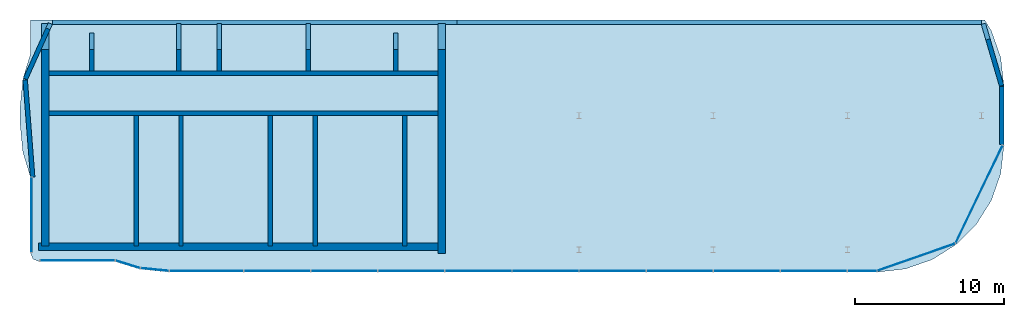
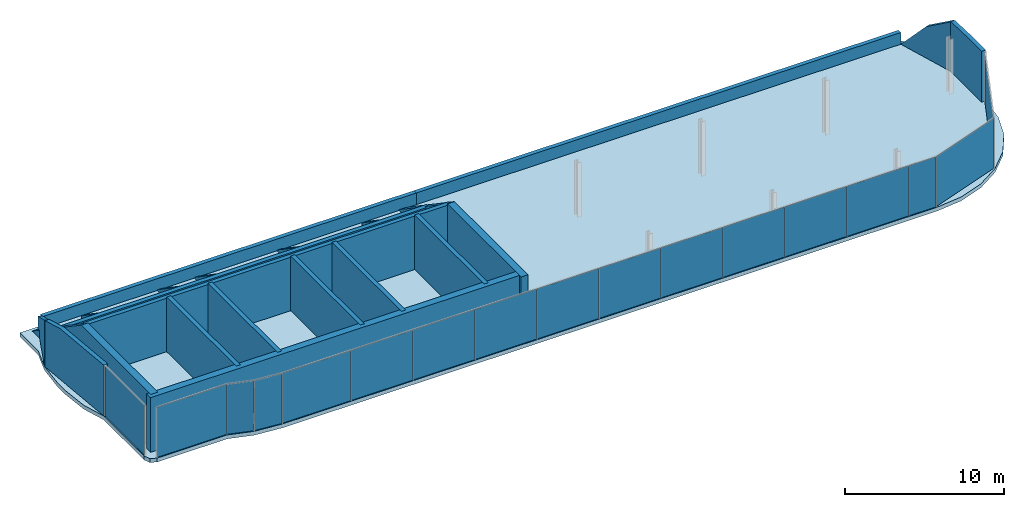
# One storey, part 5 of 5: 21 walls, 17 plates, 1 slab, 7 elements without a shape of their own.
"""IFC4 building model written with IfcOpenShell, lengths in metres."""

import ifcopenshell
import ifcopenshell.guid

model = None  # the IFC model being written
_history = None  # IfcOwnerHistory: only IFC2X3 demands one
_inside = {}  # id of a spatial element -> (the spatial element, [elements in it])
_under = {}  # id of a project, library or spatial element -> (it, [spatial elements below it])
_declared = {}  # id of a project -> (the project, [libraries it declares])
_typed = {}  # id of a type object -> (the type object, [elements of that type])
_made_of = {}  # id of a material, layer set ... -> (it, [elements and type objects made of it])


def new_model(schema):
    """Start an empty IFC model of exactly this schema.

    Asked for "IFC4X3", IfcOpenShell would pick the latest addendum, in which some entities
    have other attributes; the version numbers below select the first issue.
    IFC2X3 requires an IfcOwnerHistory on every rooted entity: one is made here for all.
    """
    global model, _history
    if schema == "IFC4X3":
        model = ifcopenshell.file(schema_version=(4, 3, 0, 0))
    else:
        model = ifcopenshell.file(schema=schema)
    _inside.clear()
    _under.clear()
    _declared.clear()
    _typed.clear()
    _made_of.clear()
    _history = None
    if model.schema == "IFC2X3":
        org = make("IfcOrganization", Name="unknown")
        user = make(
            "IfcPersonAndOrganization",
            ThePerson=make("IfcPerson", FamilyName="unknown"),
            TheOrganization=org,
        )
        app = make(
            "IfcApplication",
            ApplicationDeveloper=org,
            Version="unknown",
            ApplicationFullName="unknown",
            ApplicationIdentifier="unknown",
        )
        _history = make(
            "IfcOwnerHistory",
            OwningUser=user,
            OwningApplication=app,
            ChangeAction="ADDED",
            CreationDate=0,
        )
    return model


def make(cls, **values):
    """One entity of the class cls with the attributes given. An attribute that is None is left unset."""
    return model.create_entity(
        cls, **{name: value for name, value in values.items() if value is not None}
    )


def rooted(cls, **values):
    """An entity with a GlobalId (a new one), such as an element, a storey or a relation."""
    return make(cls, GlobalId=ifcopenshell.guid.new(), OwnerHistory=_history, **values)


def si_unit(unit_type, name, prefix=None):
    """IfcSIUnit, for example si_unit("LENGTHUNIT", "METRE", prefix="MILLI")."""
    return make("IfcSIUnit", UnitType=unit_type, Prefix=prefix, Name=name)


def assignment(units):
    """IfcUnitAssignment: the units of a project."""
    return None if units is None else make("IfcUnitAssignment", Units=units)


def point(xyz):
    """IfcCartesianPoint."""
    return None if xyz is None else make("IfcCartesianPoint", Coordinates=xyz)


def direction(xyz):
    """IfcDirection."""
    return None if xyz is None else make("IfcDirection", DirectionRatios=xyz)


def frame(location, z_axis=None, x_axis=None):
    """IfcAxis2Placement3D, a coordinate frame: its origin and axes. An axis left out is left unset."""
    return make(
        "IfcAxis2Placement3D",
        Location=point(location),
        Axis=direction(z_axis),
        RefDirection=direction(x_axis),
    )


def frame_2d(location, x_axis=None):
    """IfcAxis2Placement2D, a coordinate frame in the plane: its origin and x axis."""
    return make(
        "IfcAxis2Placement2D", Location=point(location), RefDirection=direction(x_axis)
    )


def origin():
    """The frame at (0, 0, 0) with its axes left unset."""
    return frame((0.0, 0.0, 0.0))


def origin_2d():
    """The frame at (0, 0) in the plane with its x axis left unset."""
    return frame_2d((0.0, 0.0))


def place(relative_to, where):
    """IfcLocalPlacement: puts the frame where relative to a parent placement (None: the world)."""
    return make(
        "IfcLocalPlacement", PlacementRelTo=relative_to, RelativePlacement=where
    )


def context(
    kind, dimensions, precision=None, world=None, true_north=None, identifier=None
):
    """IfcGeometricRepresentationContext, for example the 3D "Model" context."""
    return make(
        "IfcGeometricRepresentationContext",
        ContextIdentifier=identifier,
        ContextType=kind,
        CoordinateSpaceDimension=dimensions,
        Precision=precision,
        WorldCoordinateSystem=world,
        TrueNorth=true_north,
    )


def subcontext(parent, identifier, kind, view, scale=None):
    """IfcGeometricRepresentationSubContext, for example "Body" below "Model"."""
    return make(
        "IfcGeometricRepresentationSubContext",
        ContextIdentifier=identifier,
        ContextType=kind,
        ParentContext=parent,
        TargetScale=scale,
        TargetView=view,
    )


def project(units=None, contexts=None):
    """IfcProject with its units and contexts."""
    return rooted(
        "IfcProject",
        Name="project",
        RepresentationContexts=contexts,
        UnitsInContext=assignment(units),
    )


def spatial(cls, under=None, at=None, **own):
    """A site, building, storey or space (cls), placed at a placement, below another one or the project."""
    s = rooted(cls, ObjectPlacement=at, **own)
    if under is not None:
        _under.setdefault(under.id(), (under, []))[1].append(s)
    return s


def polyline(points):
    """IfcPolyline through the points."""
    return make("IfcPolyline", Points=[point(p) for p in points])


def profile(cls, at=None, kind="AREA", **sizes):
    """A parametric profile (cls). Its sizes go by their IFC names, for example OverallWidth=200.0."""
    return make(cls, ProfileType=kind, Position=at, **sizes)


def rectangle(**sizes):
    """IfcRectangleProfileDef."""
    return profile("IfcRectangleProfileDef", **sizes)


def outline(outer, holes=None, kind="AREA"):
    """IfcArbitraryClosedProfileDef: a profile drawn as a closed curve; with holes, ...WithVoids."""
    if holes is None:
        return make("IfcArbitraryClosedProfileDef", ProfileType=kind, OuterCurve=outer)
    return make(
        "IfcArbitraryProfileDefWithVoids",
        ProfileType=kind,
        OuterCurve=outer,
        InnerCurves=holes,
    )


def extrude(swept, where, along, depth):
    """IfcExtrudedAreaSolid: the profile swept, set in the frame where, extruded along a direction by depth."""
    return make(
        "IfcExtrudedAreaSolid",
        SweptArea=swept,
        Position=where,
        ExtrudedDirection=direction(along),
        Depth=depth,
    )


def shape(context_of_items, identifier, shape_type, items):
    """IfcShapeRepresentation: the items that make up one representation, for example the "Body"."""
    return make(
        "IfcShapeRepresentation",
        ContextOfItems=context_of_items,
        RepresentationIdentifier=identifier,
        RepresentationType=shape_type,
        Items=items,
    )


def material(Name=None, Category=None):
    """IfcMaterial."""
    return make("IfcMaterial", Name=Name, Category=Category)


def layer(
    of_material, thickness, ventilated=None, Name=None, Category=None, Priority=None
):
    """IfcMaterialLayer: one layer of a wall or slab, of a material (None: an air gap)."""
    return make(
        "IfcMaterialLayer",
        Material=of_material,
        LayerThickness=thickness,
        IsVentilated=ventilated,
        Name=Name,
        Category=Category,
        Priority=Priority,
    )


def layer_set(layers, Name=None):
    """IfcMaterialLayerSet."""
    return make("IfcMaterialLayerSet", MaterialLayers=layers, LayerSetName=Name)


def made_of(thing, what):
    """Note that an element or type object is made of a material, layer set ...; save() writes the relation."""
    if what is not None:
        _made_of.setdefault(what.id(), (what, []))[1].append(thing)
    return thing


def type_object(cls, material=None, **own):
    """A type object (cls), such as IfcWallType, which elements share."""
    return made_of(rooted(cls, **own), material)


def element(
    cls,
    number,
    at=None,
    inside=None,
    cuts=None,
    type_object=None,
    material=None,
    context=None,
    identifier="Body",
    shape_type=None,
    held_by="IfcProductDefinitionShape",
    body=None,
    shapes=None,
    **own,
):
    """One element of the class cls, such as IfcWall. Its Tag is "e" and its number.

    at: its placement. inside: the storey or other place that contains it. cuts: it is an
    opening in that element (IfcRelVoidsElement). A single representation is given by context,
    identifier, shape_type and body (its items); several are given by shapes. held_by: the class
    of the entity that holds the representations. save() writes the other relations.
    """
    e = rooted(cls, Tag="e%d" % number, ObjectPlacement=at, **own)
    if body is not None:
        shapes = [shape(context, identifier, shape_type, body)]
    if shapes is not None:
        e.Representation = make(held_by, Representations=shapes)
    if inside is not None:
        _inside.setdefault(inside.id(), (inside, []))[1].append(e)
    if cuts is not None:
        rooted(
            "IfcRelVoidsElement", RelatingBuildingElement=cuts, RelatedOpeningElement=e
        )
    if type_object is not None:
        _typed.setdefault(type_object.id(), (type_object, []))[1].append(e)
    return made_of(e, material)


def aggregate(whole, parts):
    """IfcRelAggregates: a whole, such as a stair, and the parts it consists of."""
    return rooted("IfcRelAggregates", RelatingObject=whole, RelatedObjects=parts)


def save(model, path):
    """Write the relations noted so far, then the file.

    IfcRelAggregates (storeys below a building ...), IfcRelContainedInSpatialStructure (elements
    in a storey), IfcRelDefinesByType, IfcRelAssociatesMaterial and IfcRelDeclares: one each for
    every whole, place, type object, material and project.
    """
    for whole, parts in _under.values():
        aggregate(whole, parts)
    for where, things in _inside.values():
        rooted(
            "IfcRelContainedInSpatialStructure",
            RelatedElements=things,
            RelatingStructure=where,
        )
    for kind, things in _typed.values():
        rooted("IfcRelDefinesByType", RelatedObjects=things, RelatingType=kind)
    for what, things in _made_of.values():
        rooted("IfcRelAssociatesMaterial", RelatedObjects=things, RelatingMaterial=what)
    for by, libraries in _declared.values():
        rooted("IfcRelDeclares", RelatingContext=by, RelatedDefinitions=libraries)
    model.write(path)


model = new_model("IFC4")

# Units and contexts
model_context = context("Model", 3, precision=1e-05, world=origin(), true_north=direction((0.0, 1.0)))
body_context = subcontext(model_context, "Body", "Model", "MODEL_VIEW")
ifc_project = project(units=[si_unit("LENGTHUNIT", "METRE"), si_unit("AREAUNIT", "SQUARE_METRE"), si_unit("VOLUMEUNIT", "CUBIC_METRE"), si_unit("PLANEANGLEUNIT", "RADIAN"), si_unit("MASSUNIT", "GRAM", prefix="KILO")], contexts=[model_context])

# Site, building, storey
site_placement = place(None, origin())
site = spatial("IfcSite", under=ifc_project, at=site_placement, CompositionType="ELEMENT")
building_placement = place(site_placement, origin())
building = spatial("IfcBuilding", under=site, at=building_placement, Name="Ogive Portal Towers", CompositionType="ELEMENT")
storey_placement = place(building_placement, frame((0.0, 0.0, 285.5)))
storey = spatial("IfcBuildingStorey", under=building, at=storey_placement, Name="L69", CompositionType="ELEMENT", Elevation=285.5)

# Curtain wall, plate
ifc_material_1 = material(Name="Glass, clear low-iron insulated glazing", Category="glass")
curtain_wall_type = type_object("IfcCurtainWallType", Name="CW CROWN GLAZING", PredefinedType="NOTDEFINED", material=ifc_material_1)
curtain_wall_1_placement = place(storey_placement, origin())
curtain_wall_1 = element("IfcCurtainWall", 1, at=curtain_wall_1_placement, inside=storey, type_object=curtain_wall_type, Name="A:L69:c04:cw", PredefinedType="NOTDEFINED")
ifc_layer_1 = layer(ifc_material_1, 0.028076171875)
ifc_layer_set_1 = layer_set([ifc_layer_1], Name="CW PANEL IGU 28")
plate_type = type_object("IfcPlateType", Name="CW PANEL IGU 28", PredefinedType="CURTAIN_PANEL", material=ifc_layer_set_1)
plate_1_placement = place(storey_placement, frame((30.780029296875, 23.846923828125, 0.0), z_axis=(0.0, 0.0, 1.0), x_axis=(0.0, -1.0, 0.0)))
plate_1 = element("IfcPlate", 2, at=plate_1_placement, type_object=plate_type, Name="panel", PredefinedType="CURTAIN_PANEL", context=body_context, shape_type="SweptSolid", body=[
    extrude(rectangle(XDim=5.002197265625, YDim=0.028076171875, at=origin_2d()), origin(), (0.0, 0.0, 1.0), 3.840087890625),
])
aggregate(curtain_wall_1, [plate_1])

curtain_wall_2_placement = place(storey_placement, origin())
curtain_wall_2 = element("IfcCurtainWall", 3, at=curtain_wall_2_placement, inside=storey, type_object=curtain_wall_type, Name="A:L69:c07:cw", PredefinedType="NOTDEFINED")
plate_2_placement = place(storey_placement, frame((33.851318359375, 20.780029296875, 0.0), z_axis=(0.0, 0.0, 1.0), x_axis=(1.0, 0.0, 0.0)))
plate_2 = element("IfcPlate", 4, at=plate_2_placement, type_object=plate_type, Name="panel", PredefinedType="CURTAIN_PANEL", context=body_context, shape_type="SweptSolid", body=[
    extrude(rectangle(XDim=5.010986328125, YDim=0.028076171875, at=origin_2d()), origin(), (0.0, 0.0, 1.0), 3.840087890625),
])
aggregate(curtain_wall_2, [plate_2])

curtain_wall_3_placement = place(storey_placement, origin())
curtain_wall_3 = element("IfcCurtainWall", 5, at=curtain_wall_3_placement, inside=storey, type_object=curtain_wall_type, Name="A:L69:c08:cw", PredefinedType="NOTDEFINED")
plate_3_placement = place(storey_placement, frame((37.225830078125, 20.525390625, 0.0), z_axis=(0.0, 0.0, 1.0), x_axis=(0.956940335732, -0.290284677254, 0.0)))
plate_3 = element("IfcPlate", 6, at=plate_3_placement, type_object=plate_type, Name="panel", PredefinedType="CURTAIN_PANEL", context=body_context, shape_type="SweptSolid", body=[
    extrude(rectangle(XDim=1.693603515625, YDim=0.028076171875, at=origin_2d()), origin(), (0.0, 0.0, 1.0), 3.840087890625),
])
aggregate(curtain_wall_3, [plate_3])

curtain_wall_4_placement = place(storey_placement, origin())
curtain_wall_4 = element("IfcCurtainWall", 7, at=curtain_wall_4_placement, inside=storey, type_object=curtain_wall_type, Name="A:L69:c09:cw", PredefinedType="NOTDEFINED")
plate_4_placement = place(storey_placement, frame((39.034423828125, 20.175537109375, 0.0), z_axis=(0.0, 0.0, 1.0), x_axis=(0.995184726672, -0.09801714033, 0.0)))
plate_4 = element("IfcPlate", 8, at=plate_4_placement, type_object=plate_type, Name="panel", PredefinedType="CURTAIN_PANEL", context=body_context, shape_type="SweptSolid", body=[
    extrude(rectangle(XDim=1.888427734375, YDim=0.028076171875, at=origin_2d()), origin(), (0.0, 0.0, 1.0), 3.840087890625),
])
aggregate(curtain_wall_4, [plate_4])

# Curtain wall, plates
curtain_wall_5_placement = place(storey_placement, origin())
curtain_wall_5 = element("IfcCurtainWall", 9, at=curtain_wall_5_placement, inside=storey, type_object=curtain_wall_type, Name="A:L69:c10:cw", PredefinedType="NOTDEFINED")
plate_5_placement = place(storey_placement, frame((42.501953125, 20.080078125, 0.0), z_axis=(0.0, 0.0, 1.0), x_axis=(1.0, 0.0, 0.0)))
plate_5 = element("IfcPlate", 10, at=plate_5_placement, type_object=plate_type, Name="panel", PredefinedType="CURTAIN_PANEL", context=body_context, shape_type="SweptSolid", body=[
    extrude(rectangle(XDim=4.93603515625, YDim=0.028076171875, at=origin_2d()), origin(), (0.0, 0.0, 1.0), 3.840087890625),
])
plate_6_placement = place(storey_placement, frame((47.25, 20.080078125, 0.0), z_axis=(0.0, 0.0, 1.0), x_axis=(1.0, 0.0, 0.0)))
plate_6 = element("IfcPlate", 11, at=plate_6_placement, type_object=plate_type, Name="panel", PredefinedType="CURTAIN_PANEL", context=body_context, shape_type="SweptSolid", body=[
    extrude(rectangle(XDim=4.43994140625, YDim=0.028076171875, at=origin_2d()), origin(), (0.0, 0.0, 1.0), 3.840087890625),
])
plate_7_placement = place(storey_placement, frame((51.75, 20.080078125, 0.0), z_axis=(0.0, 0.0, 1.0), x_axis=(1.0, 0.0, 0.0)))
plate_7 = element("IfcPlate", 12, at=plate_7_placement, type_object=plate_type, Name="panel", PredefinedType="CURTAIN_PANEL", context=body_context, shape_type="SweptSolid", body=[
    extrude(rectangle(XDim=4.43994140625, YDim=0.028076171875, at=origin_2d()), origin(), (0.0, 0.0, 1.0), 3.840087890625),
])
plate_8_placement = place(storey_placement, frame((56.25, 20.080078125, 0.0), z_axis=(0.0, 0.0, 1.0), x_axis=(1.0, 0.0, 0.0)))
plate_8 = element("IfcPlate", 13, at=plate_8_placement, type_object=plate_type, Name="panel", PredefinedType="CURTAIN_PANEL", context=body_context, shape_type="SweptSolid", body=[
    extrude(rectangle(XDim=4.43994140625, YDim=0.028076171875, at=origin_2d()), origin(), (0.0, 0.0, 1.0), 3.840087890625),
])
plate_9_placement = place(storey_placement, frame((60.75, 20.080078125, 0.0), z_axis=(0.0, 0.0, 1.0), x_axis=(1.0, 0.0, 0.0)))
plate_9 = element("IfcPlate", 14, at=plate_9_placement, type_object=plate_type, Name="panel", PredefinedType="CURTAIN_PANEL", context=body_context, shape_type="SweptSolid", body=[
    extrude(rectangle(XDim=4.43994140625, YDim=0.028076171875, at=origin_2d()), origin(), (0.0, 0.0, 1.0), 3.840087890625),
])
plate_10_placement = place(storey_placement, frame((65.25, 20.080078125, 0.0), z_axis=(0.0, 0.0, 1.0), x_axis=(1.0, 0.0, 0.0)))
plate_10 = element("IfcPlate", 15, at=plate_10_placement, type_object=plate_type, Name="panel", PredefinedType="CURTAIN_PANEL", context=body_context, shape_type="SweptSolid", body=[
    extrude(rectangle(XDim=4.43994140625, YDim=0.028076171875, at=origin_2d()), origin(), (0.0, 0.0, 1.0), 3.840087890625),
])
plate_11_placement = place(storey_placement, frame((69.75, 20.080078125, 0.0), z_axis=(0.0, 0.0, 1.0), x_axis=(1.0, 0.0, 0.0)))
plate_11 = element("IfcPlate", 16, at=plate_11_placement, type_object=plate_type, Name="panel", PredefinedType="CURTAIN_PANEL", context=body_context, shape_type="SweptSolid", body=[
    extrude(rectangle(XDim=4.43994140625, YDim=0.028076171875, at=origin_2d()), origin(), (0.0, 0.0, 1.0), 3.840087890625),
])
plate_12_placement = place(storey_placement, frame((74.25, 20.080078125, 0.0), z_axis=(0.0, 0.0, 1.0), x_axis=(1.0, 0.0, 0.0)))
plate_12 = element("IfcPlate", 17, at=plate_12_placement, type_object=plate_type, Name="panel", PredefinedType="CURTAIN_PANEL", context=body_context, shape_type="SweptSolid", body=[
    extrude(rectangle(XDim=4.43994140625, YDim=0.028076171875, at=origin_2d()), origin(), (0.0, 0.0, 1.0), 3.840087890625),
])
plate_13_placement = place(storey_placement, frame((78.75, 20.080078125, 0.0), z_axis=(0.0, 0.0, 1.0), x_axis=(1.0, 0.0, 0.0)))
plate_13 = element("IfcPlate", 18, at=plate_13_placement, type_object=plate_type, Name="panel", PredefinedType="CURTAIN_PANEL", context=body_context, shape_type="SweptSolid", body=[
    extrude(rectangle(XDim=4.43994140625, YDim=0.028076171875, at=origin_2d()), origin(), (0.0, 0.0, 1.0), 3.840087890625),
])
plate_14_placement = place(storey_placement, frame((83.25, 20.080078125, 0.0), z_axis=(0.0, 0.0, 1.0), x_axis=(1.0, 0.0, 0.0)))
plate_14 = element("IfcPlate", 19, at=plate_14_placement, type_object=plate_type, Name="panel", PredefinedType="CURTAIN_PANEL", context=body_context, shape_type="SweptSolid", body=[
    extrude(rectangle(XDim=4.43994140625, YDim=0.028076171875, at=origin_2d()), origin(), (0.0, 0.0, 1.0), 3.840087890625),
])
plate_15_placement = place(storey_placement, frame((86.4931640625, 20.080078125, 0.0), z_axis=(0.0, 0.0, 1.0), x_axis=(1.0, 0.0, 0.0)))
plate_15 = element("IfcPlate", 20, at=plate_15_placement, type_object=plate_type, Name="panel", PredefinedType="CURTAIN_PANEL", context=body_context, shape_type="SweptSolid", body=[
    extrude(rectangle(XDim=1.926513671875, YDim=0.028076171875, at=origin_2d()), origin(), (0.0, 0.0, 1.0), 3.840087890625),
])
aggregate(curtain_wall_5, [plate_5, plate_6, plate_7, plate_8, plate_9, plate_10, plate_11, plate_12, plate_13, plate_14, plate_15])

# Curtain wall, plate
curtain_wall_6_placement = place(storey_placement, origin())
curtain_wall_6 = element("IfcCurtainWall", 21, at=curtain_wall_6_placement, inside=storey, type_object=curtain_wall_type, Name="A:L69:c11:cw", PredefinedType="NOTDEFINED")
plate_16_placement = place(storey_placement, frame((90.1142578125, 20.99951171875, 0.0), z_axis=(0.0, 0.0, 1.0), x_axis=(0.943883330307, 0.33027906196, 0.0)))
plate_16 = element("IfcPlate", 22, at=plate_16_placement, type_object=plate_type, Name="panel", PredefinedType="CURTAIN_PANEL", context=body_context, shape_type="SweptSolid", body=[
    extrude(rectangle(XDim=5.508056640625, YDim=0.028076171875, at=origin_2d()), origin(), (0.0, 0.0, 1.0), 3.840087890625),
])
aggregate(curtain_wall_6, [plate_16])

curtain_wall_7_placement = place(storey_placement, origin())
curtain_wall_7 = element("IfcCurtainWall", 23, at=curtain_wall_7_placement, inside=storey, type_object=curtain_wall_type, Name="A:L69:c12:cw", PredefinedType="NOTDEFINED")
plate_17_placement = place(storey_placement, frame((94.3310546875, 25.21875, 0.0), z_axis=(0.0, 0.0, 1.0), x_axis=(0.433883739113, 0.900968867905, 0.0)))
plate_17 = element("IfcPlate", 24, at=plate_17_placement, type_object=plate_type, Name="panel", PredefinedType="CURTAIN_PANEL", context=body_context, shape_type="SweptSolid", body=[
    extrude(rectangle(XDim=7.2646484375, YDim=0.028076171875, at=origin_2d()), origin(), (0.0, 0.0, 1.0), 3.840087890625),
])
aggregate(curtain_wall_7, [plate_17])

# Slab
ifc_material_2 = material(Name="Concrete C45/55", Category="concrete")
ifc_layer_2 = layer(ifc_material_2, 0.300048828125)
ifc_layer_set_2 = layer_set([ifc_layer_2], Name="PT ROOF SLAB 300")
slab_type = type_object("IfcSlabType", Name="PT ROOF SLAB 300", PredefinedType="ROOF", material=ifc_layer_set_2)
slab_placement = place(storey_placement, frame((0.0, 0.0, -0.300048828125)))
element("IfcSlab", 25, at=slab_placement, inside=storey, type_object=slab_type, Name="Crown deck L69", PredefinedType="ROOF", context=body_context, shape_type="SweptSolid", body=[
    extrude(outline(polyline([(95.786865234375, 34.391357421875), (95.158203125, 36.18798828125), (94.70361328125, 36.911865234375), (30.699951171875, 36.911865234375), (30.699951171875, 34.625), (30.192138671875, 32.950927734375), (30.0, 31.0), (30.0, 30.0), (30.192138671875, 28.049072265625), (30.699951171875, 26.375), (30.699951171875, 21.300048828125), (30.875732421875, 20.875732421875), (31.300048828125, 20.699951171875), (36.375, 20.699951171875), (38.049072265625, 20.192138671875), (40.0, 20.0), (87.5, 20.0), (89.391357421875, 20.213134765625), (91.18798828125, 20.841796875), (92.7998046875, 21.8544921875), (94.1455078125, 23.2001953125), (95.158203125, 24.81201171875), (95.786865234375, 26.608642578125), (96.0, 28.5), (96.0, 32.5), (95.786865234375, 34.391357421875)])), origin(), (0.0, 0.0, 1.0), 0.300048828125),
])

# Walls
ifc_material_3 = material(Name="Concrete C60/75", Category="concrete")
ifc_layer_3 = layer(ifc_material_3, 0.300048828125)
ifc_layer_set_3 = layer_set([ifc_layer_3], Name="CORE WALL 300 C60")
wall_type_1 = type_object("IfcWallType", Name="CORE WALL 300 C60", PredefinedType="SHEAR", material=ifc_layer_set_3)
for number, where, z_axis, x_axis, name in (
    (26, (37.800048828125, 21.75, 0.0), (0.0, 0.0, 1.0), (0.0, 1.0, 0.0), "Core wall X1 L69"),
    (27, (40.800048828125, 21.75, 0.0), (0.0, 0.0, 1.0), (0.0, 1.0, 0.0), "Core wall X2 L69"),
    (28, (46.800048828125, 21.75, 0.0), (0.0, 0.0, 1.0), (0.0, 1.0, 0.0), "Core wall X3 L69"),
    (29, (49.800048828125, 21.75, 0.0), (0.0, 0.0, 1.0), (0.0, 1.0, 0.0), "Core wall X4 L69"),
    (30, (55.800048828125, 21.75, 0.0), (0.0, 0.0, 1.0), (0.0, 1.0, 0.0), "Core wall X5 L69"),
):
    element("IfcWall", number, at=place(storey_placement, frame(where, z_axis=z_axis, x_axis=x_axis)), inside=storey, type_object=wall_type_1, Name=name, PredefinedType="SHEAR", context=body_context, shape_type="SweptSolid", body=[
        extrude(rectangle(XDim=8.75, YDim=0.300048828125, at=frame_2d((4.375, 0.0))), origin(), (0.0, 0.0, 1.0), 4.199951171875),
    ])
wall_1_placement = place(storey_placement, frame((31.75, 30.64990234375, 0.0), z_axis=(0.0, 0.0, 1.0), x_axis=(1.0, 0.0, 0.0)))
element("IfcWall", 31, at=wall_1_placement, inside=storey, type_object=wall_type_1, Name="Core wall Y1 L69", PredefinedType="SHEAR", context=body_context, shape_type="SweptSolid", body=[
    extrude(rectangle(XDim=26.5, YDim=0.300048828125, at=frame_2d((13.25, 0.0))), origin(), (0.0, 0.0, 1.0), 4.10791015625),
])
wall_2_placement = place(storey_placement, frame((31.75, 33.35009765625, 0.0), z_axis=(0.0, 0.0, 1.0), x_axis=(1.0, 0.0, 0.0)))
element("IfcWall", 32, at=wall_2_placement, inside=storey, type_object=wall_type_1, Name="Core wall Y2 L69", PredefinedType="SHEAR", context=body_context, shape_type="SweptSolid", body=[
    extrude(rectangle(XDim=26.5, YDim=0.300048828125, at=frame_2d((13.25, 0.0))), origin(), (0.0, 0.0, 1.0), 2.27197265625),
])
for number, where, z_axis, x_axis, name in (
    (33, (40.64990234375, 33.5, 0.0), (0.0, 0.0, 1.0), (0.0, 1.0, 0.0), "Core wall X6 L69"),
    (34, (43.35009765625, 33.5, 0.0), (0.0, 0.0, 1.0), (0.0, 1.0, 0.0), "Core wall X7 L69"),
):
    element("IfcWall", number, at=place(storey_placement, frame(where, z_axis=z_axis, x_axis=x_axis)), inside=storey, type_object=wall_type_1, Name=name, PredefinedType="SHEAR", context=body_context, shape_type="SweptSolid", body=[
        extrude(outline(polyline([(0.0, 0.0), (5.75, 0.0), (3.191162109375, 0.0), (0.0, 2.169921875), (0.0, 0.0)])), frame((0.0, 0.14990234375, 0.0), z_axis=(0.0, -1.0, 0.0), x_axis=(1.0, 0.0, 0.0)), (0.0, 0.0, 1.0), 0.300048828125),
    ])
wall_3_placement = place(storey_placement, frame((34.800048828125, 33.5, 0.0), z_axis=(0.0, 0.0, 1.0), x_axis=(0.0, 1.0, 0.0)))
element("IfcWall", 35, at=wall_3_placement, inside=storey, type_object=wall_type_1, Name="Core wall X8 L69", PredefinedType="SHEAR", context=body_context, shape_type="SweptSolid", body=[
    extrude(outline(polyline([(0.0, 0.0), (2.550048828125, 0.0), (2.550048828125, 0.43603515625), (0.0, 2.169921875), (0.0, 0.0)])), frame((0.0, 0.14990234375, 0.0), z_axis=(0.0, -1.0, 0.0), x_axis=(1.0, 0.0, 0.0)), (0.0, 0.0, 1.0), 0.300048828125),
])
wall_4_placement = place(storey_placement, frame((49.35009765625, 33.5, 0.0), z_axis=(0.0, 0.0, 1.0), x_axis=(0.0, 1.0, 0.0)))
element("IfcWall", 36, at=wall_4_placement, inside=storey, type_object=wall_type_1, Name="Core wall X9 L69", PredefinedType="SHEAR", context=body_context, shape_type="SweptSolid", body=[
    extrude(outline(polyline([(0.0, 0.0), (5.75, 0.0), (3.191162109375, 0.0), (0.0, 2.169921875), (0.0, 0.0)])), frame((0.0, 0.14990234375, 0.0), z_axis=(0.0, -1.0, 0.0), x_axis=(1.0, 0.0, 0.0)), (0.0, 0.0, 1.0), 0.300048828125),
])
wall_5_placement = place(storey_placement, frame((55.199951171875, 33.5, 0.0), z_axis=(0.0, 0.0, 1.0), x_axis=(0.0, 1.0, 0.0)))
element("IfcWall", 37, at=wall_5_placement, inside=storey, type_object=wall_type_1, Name="Core wall X10 L69", PredefinedType="SHEAR", context=body_context, shape_type="SweptSolid", body=[
    extrude(outline(polyline([(0.0, 0.0), (2.550048828125, 0.0), (2.550048828125, 0.43603515625), (0.0, 2.169921875), (0.0, 0.0)])), frame((0.0, 0.14990234375, 0.0), z_axis=(0.0, -1.0, 0.0), x_axis=(1.0, 0.0, 0.0)), (0.0, 0.0, 1.0), 0.300048828125),
])
ifc_layer_4 = layer(ifc_material_3, 0.5)
ifc_layer_set_4 = layer_set([ifc_layer_4], Name="CORE WALL 500 C60")
wall_type_2 = type_object("IfcWallType", Name="CORE WALL 500 C60", PredefinedType="SHEAR", material=ifc_layer_set_4)
wall_6_placement = place(storey_placement, frame((31.699951171875, 21.75, 0.0), z_axis=(0.0, 0.0, 1.0), x_axis=(0.0, 1.0, 0.0)))
element("IfcWall", 38, at=wall_6_placement, inside=storey, type_object=wall_type_2, Name="Core wall W L69", PredefinedType="SHEAR", context=body_context, shape_type="SweptSolid", body=[
    extrude(outline(polyline([(0.0, 0.0), (17.5, 0.0), (14.941162109375, 0.0), (8.7646484375, 4.199951171875), (0.0, 4.199951171875), (0.0, 0.0)])), frame((0.0, 0.25, 0.0), z_axis=(0.0, -1.0, 0.0), x_axis=(1.0, 0.0, 0.0)), (0.0, 0.0, 1.0), 0.5),
])
wall_7_placement = place(storey_placement, frame((31.25, 21.699951171875, 0.0), z_axis=(0.0, 0.0, 1.0), x_axis=(1.0, 0.0, 0.0)))
element("IfcWall", 39, at=wall_7_placement, inside=storey, type_object=wall_type_2, Name="Core wall S L69", PredefinedType="SHEAR", context=body_context, shape_type="SweptSolid", body=[
    extrude(rectangle(XDim=27.0, YDim=0.5, at=frame_2d((13.5, 0.0))), origin(), (0.0, 0.0, 1.0), 4.199951171875),
])
wall_8_placement = place(storey_placement, frame((58.300048828125, 21.25, 0.0), z_axis=(0.0, 0.0, 1.0), x_axis=(0.0, 1.0, 0.0)))
element("IfcWall", 40, at=wall_8_placement, inside=storey, type_object=wall_type_2, Name="Core wall E L69", PredefinedType="SHEAR", context=body_context, shape_type="SweptSolid", body=[
    extrude(outline(polyline([(0.0, 0.0), (18.5, 0.0), (15.441162109375, 0.0), (9.2646484375, 4.199951171875), (0.0, 4.199951171875), (0.0, 0.0)])), frame((0.0, 0.25, 0.0), z_axis=(0.0, -1.0, 0.0), x_axis=(1.0, 0.0, 0.0)), (0.0, 0.0, 1.0), 0.5),
])
ifc_material_4 = material(Name="Limestone cladding on lightweight block wall", Category="masonry")
ifc_layer_5 = layer(ifc_material_4, 0.300048828125)
ifc_layer_set_5 = layer_set([ifc_layer_5], Name="CROWN KNEE WALL 300 STONE")
wall_type_3 = type_object("IfcWallType", Name="CROWN KNEE WALL 300 STONE", PredefinedType="SOLIDWALL", material=ifc_layer_set_5)
wall_9_placement = place(storey_placement, frame((94.47900390625, 36.76171875, 0.0), z_axis=(0.0, 0.0, 1.0), x_axis=(-1.0, 0.0, 0.0)))
element("IfcWall", 41, at=wall_9_placement, inside=storey, type_object=wall_type_3, Name="A:L69:c00:wall", PredefinedType="SOLIDWALL", context=body_context, shape_type="SweptSolid", body=[
    extrude(outline(polyline([(0.0, 0.0), (35.178955078125, 0.0), (35.178955078125, 0.902099609375), (33.6494140625, 0.902099609375), (32.119873046875, 0.902099609375), (30.59033203125, 0.902099609375), (29.060791015625, 0.902099609375), (27.53125, 0.902099609375), (26.001953125, 0.902099609375), (24.472412109375, 0.902099609375), (22.94287109375, 0.902099609375), (21.413330078125, 0.902099609375), (19.8837890625, 0.902099609375), (18.354248046875, 0.902099609375), (16.82470703125, 0.902099609375), (15.295166015625, 0.902099609375), (13.765625, 0.902099609375), (12.236083984375, 0.902099609375), (10.70654296875, 0.902099609375), (9.177001953125, 0.902099609375), (7.647705078125, 0.902099609375), (6.1181640625, 0.902099609375), (4.588623046875, 0.902099609375), (3.05908203125, 0.902099609375), (1.529541015625, 0.902099609375), (0.0, 0.902099609375), (0.0, 0.0)])), frame((0.0, 0.14990234375, 0.0), z_axis=(0.0, -1.0, 0.0), x_axis=(1.0, 0.0, 0.0)), (0.0, 0.0, 1.0), 0.300048828125),
])
wall_10_placement = place(storey_placement, frame((59.300048828125, 36.76171875, 0.0), z_axis=(0.0, 0.0, 1.0), x_axis=(-1.0, 0.0, 0.0)))
element("IfcWall", 42, at=wall_10_placement, inside=storey, type_object=wall_type_3, Name="A:L69:c01:wall", PredefinedType="SOLIDWALL", context=body_context, shape_type="SweptSolid", body=[
    extrude(outline(polyline([(0.0, 0.0), (27.128662109375, 0.0), (27.128662109375, 0.902099609375), (25.62158203125, 0.902099609375), (24.1142578125, 0.902099609375), (22.607177734375, 0.902099609375), (21.10009765625, 0.902099609375), (19.593017578125, 0.902099609375), (18.085693359375, 0.902099609375), (16.57861328125, 0.902099609375), (15.071533203125, 0.902099609375), (13.564208984375, 0.902099609375), (12.05712890625, 0.902099609375), (10.550048828125, 0.902099609375), (9.04296875, 0.902099609375), (7.53564453125, 0.902099609375), (6.028564453125, 0.902099609375), (4.521484375, 0.902099609375), (3.014404296875, 0.902099609375), (1.507080078125, 0.902099609375), (0.0, 0.902099609375), (0.0, 0.0)])), frame((0.0, 0.14990234375, 0.0), z_axis=(0.0, -1.0, 0.0), x_axis=(1.0, 0.0, 0.0)), (0.0, 0.0, 1.0), 0.300048828125),
])
wall_11_placement = place(storey_placement, frame((32.03466796875, 36.67333984375, 0.0), z_axis=(0.0, 0.0, 1.0), x_axis=(-0.4109700726, -0.911648835587, 0.0)))
element("IfcWall", 43, at=wall_11_placement, inside=storey, type_object=wall_type_3, Name="A:L69:c02:wall", PredefinedType="SOLIDWALL", context=body_context, shape_type="SweptSolid", body=[
    extrude(outline(polyline([(0.0, 0.0), (4.073974609375, 0.0), (4.07421875, 3.48779296875), (2.037109375, 2.224853515625), (0.0, 0.962158203125), (0.0, 0.0)])), frame((0.0, 0.14990234375, 0.0), z_axis=(0.0, -1.0, 0.0), x_axis=(1.0, 0.0, 0.0)), (0.0, 0.0, 1.0), 0.300048828125),
])
wall_12_placement = place(storey_placement, frame((30.34765625, 32.885986328125, 0.0), z_axis=(0.0, 0.0, 1.0), x_axis=(0.077000071947, -0.997031087239, 0.0)))
element("IfcWall", 44, at=wall_12_placement, inside=storey, type_object=wall_type_3, Name="A:L69:c03:wall", PredefinedType="SOLIDWALL", context=body_context, shape_type="SweptSolid", body=[
    extrude(outline(polyline([(0.0, 0.0), (6.518798828125, 0.0), (6.518798828125, 3.89990234375), (4.88916015625, 3.89990234375), (3.259521484375, 3.89990234375), (1.629638671875, 3.89990234375), (0.0, 3.53759765625), (0.0, 0.0)])), frame((0.0, 0.14990234375, 0.0), z_axis=(0.0, -1.0, 0.0), x_axis=(1.0, 0.0, 0.0)), (0.0, 0.0, 1.0), 0.300048828125),
])
wall_13_placement = place(storey_placement, frame((95.85009765625, 28.568359375, 0.0), z_axis=(0.0, 0.0, 1.0), x_axis=(0.0, 1.0, 0.0)))
element("IfcWall", 45, at=wall_13_placement, inside=storey, type_object=wall_type_3, Name="A:L69:c13:wall", PredefinedType="SOLIDWALL", context=body_context, shape_type="SweptSolid", body=[
    extrude(outline(polyline([(0.0, 0.0), (3.888427734375, 0.0), (3.888427734375, 3.829345703125), (1.944091796875, 3.89990234375), (0.0, 3.89990234375), (0.0, 0.0)])), frame((0.0, 0.14990234375, 0.0), z_axis=(0.0, -1.0, 0.0), x_axis=(1.0, 0.0, 0.0)), (0.0, 0.0, 1.0), 0.300048828125),
])
wall_14_placement = place(storey_placement, frame((95.843994140625, 32.4990234375, 0.0), z_axis=(0.0, 0.0, 1.0), x_axis=(-0.281980142571, 0.959420241185, 0.0)))
element("IfcWall", 46, at=wall_14_placement, inside=storey, type_object=wall_type_3, Name="A:L69:c14:wall", PredefinedType="SOLIDWALL", context=body_context, shape_type="SweptSolid", body=[
    extrude(outline(polyline([(0.0, 0.0), (4.330810546875, 0.0), (4.33056640625, 0.975341796875), (4.33056640625, 0.0), (2.165283203125, 2.387939453125), (0.0, 3.800537109375), (0.0, 0.0)])), frame((0.0, 0.14990234375, 0.0), z_axis=(0.0, -1.0, 0.0), x_axis=(1.0, 0.0, 0.0)), (0.0, 0.0, 1.0), 0.300048828125),
])

save(model, "model.ifc")
